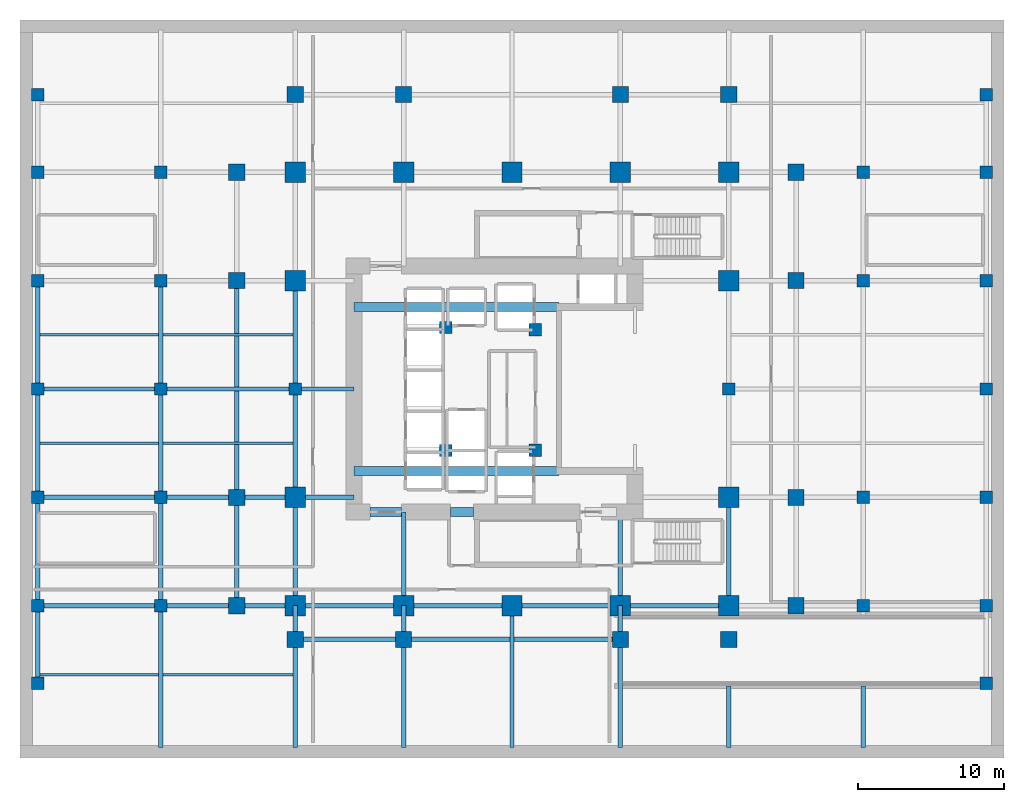
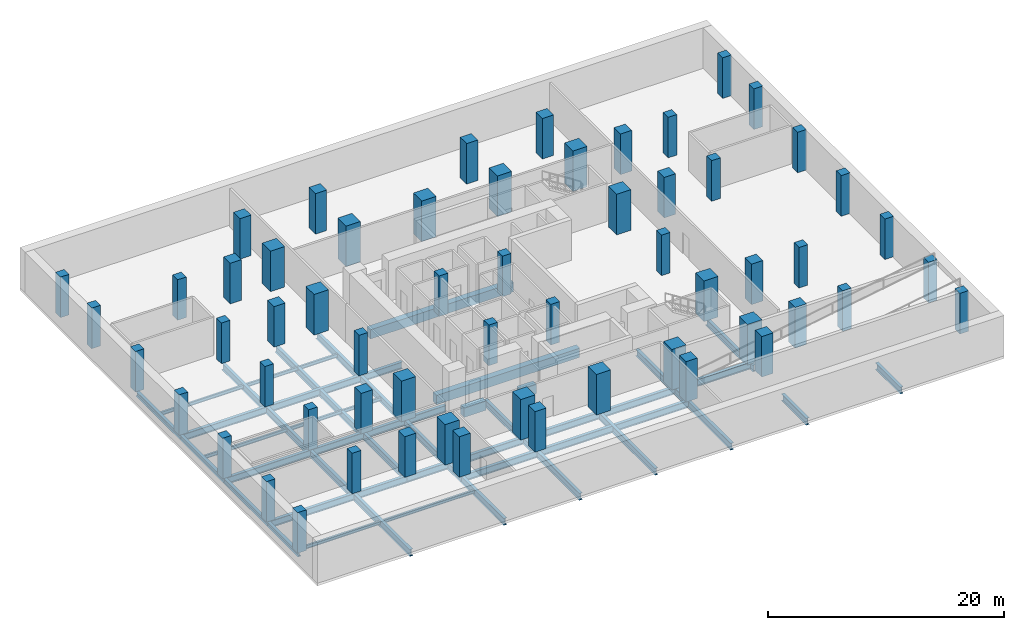
# One storey, part 1 of 7: 59 columns, 51 beams.
"""IFC4 building model written with IfcOpenShell, lengths in metres."""

from ifc_helpers import new_model, si_unit, direction, frame, origin, origin_2d, place, context, subcontext, project, spatial, rectangle, i_section, extrude, material, material_profile, profile_set, type_object, element, save


model = new_model("IFC4")

# Units and contexts
model_context = context("Model", 3, precision=1e-05, world=origin(), true_north=direction((0.0, 1.0)))
body_context = subcontext(model_context, "Body", "Model", "MODEL_VIEW")
ifc_project = project(units=[si_unit("LENGTHUNIT", "METRE"), si_unit("AREAUNIT", "SQUARE_METRE"), si_unit("VOLUMEUNIT", "CUBIC_METRE"), si_unit("PLANEANGLEUNIT", "RADIAN"), si_unit("MASSUNIT", "GRAM", prefix="KILO")], contexts=[model_context])

# Site, building, storey
site_placement = place(None, origin())
site = spatial("IfcSite", under=ifc_project, at=site_placement, CompositionType="ELEMENT")
building_placement = place(site_placement, origin())
building = spatial("IfcBuilding", under=site, at=building_placement, Name="Khorvyn Point Tower", CompositionType="ELEMENT")
storey_placement = place(building_placement, frame((0.0, 0.0, -8.39990234375)))
storey = spatial("IfcBuildingStorey", under=building, at=storey_placement, Name="B2", CompositionType="ELEMENT", Elevation=-8.39990234375)

# Columns
ifc_material_1 = material(Name="Concrete C40/50", Category="concrete")
ifc_material_profile_1 = material_profile(ifc_material_1, rectangle(XDim=0.85009765625, YDim=0.85009765625, at=origin_2d()))
ifc_profile_set_1 = profile_set([ifc_material_profile_1], Name="Concrete C40/50 RC850x850")
column_type_1 = type_object("IfcColumnType", Name="Concrete C40/50 Column RC850x850", PredefinedType="COLUMN", material=ifc_profile_set_1)
for number, where, z_axis, x_axis, name in (
    (1, (-4.52001953125, -4.199951171875, 0.0), (0.0, 0.0, 1.0), (1.0, 0.0, 0.0), "B2 Crown Core Spine Column 1"),
    (2, (1.580078125, -4.179931640625, 0.0), (0.0, 0.0, 1.0), (1.0, 0.0, 0.0), "B2 Crown Core Spine Column 2"),
    (3, (1.580078125, 4.050048828125, 0.0), (0.0, 0.0, 1.0), (1.0, 0.0, 0.0), "B2 Crown Core Spine Column 3"),
    (4, (-4.52001953125, 4.199951171875, 0.0), (0.0, 0.0, 1.0), (1.0, 0.0, 0.0), "B2 Crown Core Spine Column 4"),
    (5, (-32.39990234375, -14.800048828125, 0.0), (0.0, 0.0, 1.0), (1.0, 0.0, 0.0), "PC-B2--324--148"),
    (6, (-32.39990234375, -7.39990234375, 0.0), (0.0, 0.0, 1.0), (1.0, 0.0, 0.0), "PC-B2--324--074"),
    (7, (-32.39990234375, 0.0, 0.0), (0.0, 0.0, 1.0), (1.0, 0.0, 0.0), "PC-B2--324-+000"),
    (8, (-32.39990234375, 7.39990234375, 0.0), (0.0, 0.0, 1.0), (1.0, 0.0, 0.0), "PC-B2--324-+074"),
    (9, (-32.39990234375, 14.800048828125, 0.0), (0.0, 0.0, 1.0), (1.0, 0.0, 0.0), "PC-B2--324-+148"),
    (10, (-24.0, -14.800048828125, 0.0), (0.0, 0.0, 1.0), (1.0, 0.0, 0.0), "PC-B2--240--148"),
    (11, (-24.0, -7.39990234375, 0.0), (0.0, 0.0, 1.0), (1.0, 0.0, 0.0), "PC-B2--240--074"),
    (12, (-24.0, 0.0, 0.0), (0.0, 0.0, 1.0), (1.0, 0.0, 0.0), "PC-B2--240-+000"),
    (13, (-24.0, 7.39990234375, 0.0), (0.0, 0.0, 1.0), (1.0, 0.0, 0.0), "PC-B2--240-+074"),
    (14, (-24.0, 14.800048828125, 0.0), (0.0, 0.0, 1.0), (1.0, 0.0, 0.0), "PC-B2--240-+148"),
    (15, (-14.800048828125, 0.0, 0.0), (0.0, 0.0, 1.0), (1.0, 0.0, 0.0), "PC-B2--148-+000"),
    (16, (14.800048828125, 0.0, 0.0), (0.0, 0.0, 1.0), (1.0, 0.0, 0.0), "PC-B2-+148-+000"),
    (17, (24.0, -14.800048828125, 0.0), (0.0, 0.0, 1.0), (1.0, 0.0, 0.0), "PC-B2-+240--148"),
    (18, (24.0, -7.39990234375, 0.0), (0.0, 0.0, 1.0), (1.0, 0.0, 0.0), "PC-B2-+240--074"),
    (19, (24.0, 7.39990234375, 0.0), (0.0, 0.0, 1.0), (1.0, 0.0, 0.0), "PC-B2-+240-+074"),
    (20, (24.0, 14.800048828125, 0.0), (0.0, 0.0, 1.0), (1.0, 0.0, 0.0), "PC-B2-+240-+148"),
    (21, (32.39990234375, -14.800048828125, 0.0), (0.0, 0.0, 1.0), (1.0, 0.0, 0.0), "PC-B2-+324--148"),
    (22, (32.39990234375, -7.39990234375, 0.0), (0.0, 0.0, 1.0), (1.0, 0.0, 0.0), "PC-B2-+324--074"),
    (23, (32.39990234375, 0.0, 0.0), (0.0, 0.0, 1.0), (1.0, 0.0, 0.0), "PC-B2-+324-+000"),
    (24, (32.39990234375, 7.39990234375, 0.0), (0.0, 0.0, 1.0), (1.0, 0.0, 0.0), "PC-B2-+324-+074"),
    (25, (32.39990234375, 14.800048828125, 0.0), (0.0, 0.0, 1.0), (1.0, 0.0, 0.0), "PC-B2-+324-+148"),
    (26, (-32.39990234375, -20.10009765625, 0.0), (0.0, 0.0, 1.0), (1.0, 0.0, 0.0), "PCR-B2--32--20"),
    (27, (-32.39990234375, 20.10009765625, 0.0), (0.0, 0.0, 1.0), (1.0, 0.0, 0.0), "PCR-B2--32-+20"),
    (28, (32.39990234375, -20.10009765625, 0.0), (0.0, 0.0, 1.0), (1.0, 0.0, 0.0), "PCR-B2-+32--20"),
    (29, (32.39990234375, 20.10009765625, 0.0), (0.0, 0.0, 1.0), (1.0, 0.0, 0.0), "PCR-B2-+32-+20"),
):
    element("IfcColumn", number, at=place(storey_placement, frame(where, z_axis=z_axis, x_axis=x_axis)), inside=storey, type_object=column_type_1, Name=name, PredefinedType="COLUMN", context=body_context, shape_type="SweptSolid", body=[
        extrude(rectangle(XDim=0.85009765625, YDim=0.85009765625, at=origin_2d()), origin(), (0.0, 0.0, 1.0), 4.199951171875),
    ])
ifc_material_2 = material(Name="Concrete C45/55", Category="concrete")
ifc_material_profile_2 = material_profile(ifc_material_2, rectangle(XDim=1.10009765625, YDim=1.10009765625, at=origin_2d()))
ifc_profile_set_2 = profile_set([ifc_material_profile_2], Name="Concrete C45/55 RC1100x1100")
column_type_2 = type_object("IfcColumnType", Name="Concrete C45/55 Column RC1100x1100", PredefinedType="COLUMN", material=ifc_profile_set_2)
for number, where, z_axis, x_axis, name in (
    (30, (-18.800048828125, -14.800048828125, 0.0), (0.0, 0.0, 1.0), (1.0, 0.0, 0.0), "B2 Intermediate Column ICW--14"),
    (31, (-18.800048828125, -7.39990234375, 0.0), (0.0, 0.0, 1.0), (1.0, 0.0, 0.0), "B2 Intermediate Column ICW--7"),
    (32, (-18.800048828125, 7.39990234375, 0.0), (0.0, 0.0, 1.0), (1.0, 0.0, 0.0), "B2 Intermediate Column ICW-7"),
    (33, (-18.800048828125, 14.800048828125, 0.0), (0.0, 0.0, 1.0), (1.0, 0.0, 0.0), "B2 Intermediate Column ICW-14"),
    (34, (19.39990234375, -14.800048828125, 0.0), (0.0, 0.0, 1.0), (1.0, 0.0, 0.0), "B2 Intermediate Column ICE--14"),
    (35, (19.39990234375, -7.39990234375, 0.0), (0.0, 0.0, 1.0), (1.0, 0.0, 0.0), "B2 Intermediate Column ICE--7"),
    (36, (19.39990234375, 7.39990234375, 0.0), (0.0, 0.0, 1.0), (1.0, 0.0, 0.0), "B2 Intermediate Column ICE-7"),
    (37, (19.39990234375, 14.800048828125, 0.0), (0.0, 0.0, 1.0), (1.0, 0.0, 0.0), "B2 Intermediate Column ICE-14"),
    (38, (-14.800048828125, -17.10009765625, 0.0), (0.0, 0.0, 1.0), (1.0, 0.0, 0.0), "B2 Intermediate Column ICS--14"),
    (39, (-7.39990234375, -17.10009765625, 0.0), (0.0, 0.0, 1.0), (1.0, 0.0, 0.0), "B2 Intermediate Column ICS--7"),
    (40, (7.39990234375, -17.10009765625, 0.0), (0.0, 0.0, 1.0), (1.0, 0.0, 0.0), "B2 Intermediate Column ICS-7"),
    (41, (14.800048828125, -17.10009765625, 0.0), (0.0, 0.0, 1.0), (1.0, 0.0, 0.0), "B2 Intermediate Column ICS-14"),
    (42, (-14.800048828125, 20.10009765625, 0.0), (0.0, 0.0, 1.0), (1.0, 0.0, 0.0), "B2 Intermediate Column ICN--14"),
    (43, (-7.39990234375, 20.10009765625, 0.0), (0.0, 0.0, 1.0), (1.0, 0.0, 0.0), "B2 Intermediate Column ICN--7"),
    (44, (7.39990234375, 20.10009765625, 0.0), (0.0, 0.0, 1.0), (1.0, 0.0, 0.0), "B2 Intermediate Column ICN-7"),
    (45, (14.800048828125, 20.10009765625, 0.0), (0.0, 0.0, 1.0), (1.0, 0.0, 0.0), "B2 Intermediate Column ICN-14"),
):
    element("IfcColumn", number, at=place(storey_placement, frame(where, z_axis=z_axis, x_axis=x_axis)), inside=storey, type_object=column_type_2, Name=name, PredefinedType="COLUMN", context=body_context, shape_type="SweptSolid", body=[
        extrude(rectangle(XDim=1.10009765625, YDim=1.10009765625, at=origin_2d()), origin(), (0.0, 0.0, 1.0), 4.199951171875),
    ])
ifc_material_3 = material(Name="Concrete C50/60", Category="concrete")
ifc_material_profile_3 = material_profile(ifc_material_3, rectangle(XDim=1.39990234375, YDim=1.39990234375, at=origin_2d()))
ifc_profile_set_3 = profile_set([ifc_material_profile_3], Name="Concrete C50/60 RC1400x1400")
column_type_3 = type_object("IfcColumnType", Name="Concrete C50/60 Column RC1400x1400", PredefinedType="COLUMN", material=ifc_profile_set_3)
for number, where, z_axis, x_axis, name in (
    (46, (-14.800048828125, -14.800048828125, 0.0), (0.0, 0.0, 1.0), (1.0, 0.0, 0.0), "B2 Mega-Column MC-01"),
    (47, (-7.39990234375, -14.800048828125, 0.0), (0.0, 0.0, 1.0), (1.0, 0.0, 0.0), "B2 Mega-Column MC-02"),
    (48, (0.0, -14.800048828125, 0.0), (0.0, 0.0, 1.0), (1.0, 0.0, 0.0), "B2 Mega-Column MC-03"),
    (49, (7.39990234375, -14.800048828125, 0.0), (0.0, 0.0, 1.0), (1.0, 0.0, 0.0), "B2 Mega-Column MC-04"),
    (50, (14.800048828125, -14.800048828125, 0.0), (0.0, 0.0, 1.0), (1.0, 0.0, 0.0), "B2 Mega-Column MC-05"),
    (51, (-14.800048828125, 14.800048828125, 0.0), (0.0, 0.0, 1.0), (1.0, 0.0, 0.0), "B2 Mega-Column MC-06"),
    (52, (-7.39990234375, 14.800048828125, 0.0), (0.0, 0.0, 1.0), (1.0, 0.0, 0.0), "B2 Mega-Column MC-07"),
    (53, (0.0, 14.800048828125, 0.0), (0.0, 0.0, 1.0), (1.0, 0.0, 0.0), "B2 Mega-Column MC-08"),
    (54, (7.39990234375, 14.800048828125, 0.0), (0.0, 0.0, 1.0), (1.0, 0.0, 0.0), "B2 Mega-Column MC-09"),
    (55, (14.800048828125, 14.800048828125, 0.0), (0.0, 0.0, 1.0), (1.0, 0.0, 0.0), "B2 Mega-Column MC-10"),
    (56, (-14.800048828125, -7.39990234375, 0.0), (0.0, 0.0, 1.0), (1.0, 0.0, 0.0), "B2 Mega-Column MC-11"),
    (57, (-14.800048828125, 7.39990234375, 0.0), (0.0, 0.0, 1.0), (1.0, 0.0, 0.0), "B2 Mega-Column MC-12"),
    (58, (14.800048828125, -7.39990234375, 0.0), (0.0, 0.0, 1.0), (1.0, 0.0, 0.0), "B2 Mega-Column MC-13"),
    (59, (14.800048828125, 7.39990234375, 0.0), (0.0, 0.0, 1.0), (1.0, 0.0, 0.0), "B2 Mega-Column MC-14"),
):
    element("IfcColumn", number, at=place(storey_placement, frame(where, z_axis=z_axis, x_axis=x_axis)), inside=storey, type_object=column_type_3, Name=name, PredefinedType="COLUMN", context=body_context, shape_type="SweptSolid", body=[
        extrude(rectangle(XDim=1.39990234375, YDim=1.39990234375, at=origin_2d()), origin(), (0.0, 0.0, 1.0), 4.199951171875),
    ])

# Beams
ifc_material_profile_4 = material_profile(ifc_material_3, rectangle(XDim=0.60009765625, YDim=0.949951171875, at=origin_2d()))
ifc_profile_set_4 = profile_set([ifc_material_profile_4], Name="Concrete C50/60 RC600x950")
beam_type_1 = type_object("IfcBeamType", Name="Concrete C50/60 Beam RC600x950", PredefinedType="BEAM", material=ifc_profile_set_4)
for number, where, z_axis, x_axis, name in (
    (60, (-10.800048828125, -5.60009765625, -0.735107421875), (1.0, 0.0, 0.0), (0.0, 1.0, 0.0), "B2 Core Internal Tie Girder S"),
    (61, (-10.800048828125, 5.60009765625, -0.735107421875), (1.0, 0.0, 0.0), (0.0, 1.0, 0.0), "B2 Core Internal Tie Girder N"),
):
    element("IfcBeam", number, at=place(storey_placement, frame(where, z_axis=z_axis, x_axis=x_axis)), inside=storey, type_object=beam_type_1, Name=name, PredefinedType="BEAM", context=body_context, shape_type="SweptSolid", body=[
        extrude(rectangle(XDim=0.60009765625, YDim=0.949951171875, at=origin_2d()), origin(), (0.0, 0.0, 1.0), 14.02001953125),
    ])
beam_1_placement = place(storey_placement, frame((-9.699951171875, -8.39990234375, -0.735107421875), z_axis=(1.0, 0.0, 0.0), x_axis=(0.0, 1.0, 0.0)))
element("IfcBeam", 62, at=beam_1_placement, inside=storey, type_object=beam_type_1, Name="B2 Core Southwest Portal Coupling Beam", PredefinedType="BEAM", context=body_context, shape_type="SweptSolid", body=[
    extrude(rectangle(XDim=0.60009765625, YDim=0.949951171875, at=origin_2d()), origin(), (0.0, 0.0, 1.0), 2.14990234375),
])
beam_2_placement = place(storey_placement, frame((-4.199951171875, -8.39990234375, -0.735107421875), z_axis=(1.0, 0.0, 0.0), x_axis=(0.0, 1.0, 0.0)))
element("IfcBeam", 63, at=beam_2_placement, inside=storey, type_object=beam_type_1, Name="B2 Core Shuttle Portal Coupling Beam", PredefinedType="BEAM", context=body_context, shape_type="SweptSolid", body=[
    extrude(rectangle(XDim=0.60009765625, YDim=0.949951171875, at=origin_2d()), origin(), (0.0, 0.0, 1.0), 1.579833984375),
])
ifc_material_4 = material(Name="Steel S355", Category="steel")
ifc_material_profile_5 = material_profile(ifc_material_4, i_section(OverallWidth=0.300048828125, OverallDepth=0.699951171875, WebThickness=0.012939453125, FlangeThickness=0.02392578125, at=origin_2d()))
ifc_profile_set_5 = profile_set([ifc_material_profile_5], Name="Steel S355 H700x300x13x24")
beam_type_2 = type_object("IfcBeamType", Name="Steel S355 Beam H700x300x13x24", PredefinedType="BEAM", material=ifc_profile_set_5)
beam_3_placement = place(storey_placement, frame((-32.39990234375, -14.800048828125, -0.610107421875), z_axis=(1.0, 0.0, 0.0), x_axis=(0.0, 1.0, 0.0)))
element("IfcBeam", 64, at=beam_3_placement, inside=storey, type_object=beam_type_2, Name="Beam", PredefinedType="BEAM", context=body_context, shape_type="SweptSolid", body=[
    extrude(i_section(OverallWidth=0.300048828125, OverallDepth=0.699951171875, WebThickness=0.012939453125, FlangeThickness=0.02392578125, at=origin_2d()), origin(), (0.0, 0.0, 1.0), 8.39990234375),
])
beam_4_placement = place(storey_placement, frame((-24.0, -14.800048828125, -0.610107421875), z_axis=(1.0, 0.0, 0.0), x_axis=(0.0, 1.0, 0.0)))
element("IfcBeam", 65, at=beam_4_placement, inside=storey, type_object=beam_type_2, Name="Beam", PredefinedType="BEAM", context=body_context, shape_type="SweptSolid", body=[
    extrude(i_section(OverallWidth=0.300048828125, OverallDepth=0.699951171875, WebThickness=0.012939453125, FlangeThickness=0.02392578125, at=origin_2d()), origin(), (0.0, 0.0, 1.0), 5.199951171875),
])
beam_5_placement = place(storey_placement, frame((-18.800048828125, -14.800048828125, -0.610107421875), z_axis=(1.0, 0.0, 0.0), x_axis=(0.0, 1.0, 0.0)))
element("IfcBeam", 66, at=beam_5_placement, inside=storey, type_object=beam_type_2, Name="Beam", PredefinedType="BEAM", context=body_context, shape_type="SweptSolid", body=[
    extrude(i_section(OverallWidth=0.300048828125, OverallDepth=0.699951171875, WebThickness=0.012939453125, FlangeThickness=0.02392578125, at=origin_2d()), origin(), (0.0, 0.0, 1.0), 4.0),
])
beam_6_placement = place(storey_placement, frame((-14.800048828125, -14.800048828125, -0.610107421875), z_axis=(1.0, 0.0, 0.0), x_axis=(0.0, 1.0, 0.0)))
element("IfcBeam", 67, at=beam_6_placement, inside=storey, type_object=beam_type_2, Name="Beam", PredefinedType="BEAM", context=body_context, shape_type="SweptSolid", body=[
    extrude(i_section(OverallWidth=0.300048828125, OverallDepth=0.699951171875, WebThickness=0.012939453125, FlangeThickness=0.02392578125, at=origin_2d()), origin(), (0.0, 0.0, 1.0), 7.400146484375),
])
for number, where, z_axis, x_axis, name in (
    (68, (-7.39990234375, -14.800048828125, -0.610107421875), (1.0, 0.0, 0.0), (0.0, 1.0, 0.0), "Beam"),
    (69, (0.0, -14.800048828125, -0.610107421875), (1.0, 0.0, 0.0), (0.0, 1.0, 0.0), "Beam"),
):
    element("IfcBeam", number, at=place(storey_placement, frame(where, z_axis=z_axis, x_axis=x_axis)), inside=storey, type_object=beam_type_2, Name=name, PredefinedType="BEAM", context=body_context, shape_type="SweptSolid", body=[
        extrude(i_section(OverallWidth=0.300048828125, OverallDepth=0.699951171875, WebThickness=0.012939453125, FlangeThickness=0.02392578125, at=origin_2d()), origin(), (0.0, 0.0, 1.0), 7.39990234375),
    ])
beam_7_placement = place(storey_placement, frame((7.39990234375, -14.800048828125, -0.610107421875), z_axis=(1.0, 0.0, 0.0), x_axis=(0.0, 1.0, 0.0)))
element("IfcBeam", 70, at=beam_7_placement, inside=storey, type_object=beam_type_2, Name="Beam", PredefinedType="BEAM", context=body_context, shape_type="SweptSolid", body=[
    extrude(i_section(OverallWidth=0.300048828125, OverallDepth=0.699951171875, WebThickness=0.012939453125, FlangeThickness=0.02392578125, at=origin_2d()), origin(), (0.0, 0.0, 1.0), 7.400146484375),
])
beam_8_placement = place(storey_placement, frame((-32.39990234375, -7.39990234375, -0.610107421875), z_axis=(1.0, 0.0, 0.0), x_axis=(0.0, 1.0, 0.0)))
element("IfcBeam", 71, at=beam_8_placement, inside=storey, type_object=beam_type_2, Name="Beam", PredefinedType="BEAM", context=body_context, shape_type="SweptSolid", body=[
    extrude(i_section(OverallWidth=0.300048828125, OverallDepth=0.699951171875, WebThickness=0.012939453125, FlangeThickness=0.02392578125, at=origin_2d()), origin(), (0.0, 0.0, 1.0), 8.39990234375),
])
beam_9_placement = place(storey_placement, frame((-24.0, -7.39990234375, -0.610107421875), z_axis=(1.0, 0.0, 0.0), x_axis=(0.0, 1.0, 0.0)))
element("IfcBeam", 72, at=beam_9_placement, inside=storey, type_object=beam_type_2, Name="Beam", PredefinedType="BEAM", context=body_context, shape_type="SweptSolid", body=[
    extrude(i_section(OverallWidth=0.300048828125, OverallDepth=0.699951171875, WebThickness=0.012939453125, FlangeThickness=0.02392578125, at=origin_2d()), origin(), (0.0, 0.0, 1.0), 5.199951171875),
])
for number, where, z_axis, x_axis, name in (
    (73, (-18.800048828125, -7.39990234375, -0.610107421875), (1.0, 0.0, 0.0), (0.0, 1.0, 0.0), "Beam"),
    (74, (-14.800048828125, -7.39990234375, -0.610107421875), (1.0, 0.0, 0.0), (0.0, 1.0, 0.0), "Beam"),
):
    element("IfcBeam", number, at=place(storey_placement, frame(where, z_axis=z_axis, x_axis=x_axis)), inside=storey, type_object=beam_type_2, Name=name, PredefinedType="BEAM", context=body_context, shape_type="SweptSolid", body=[
        extrude(i_section(OverallWidth=0.300048828125, OverallDepth=0.699951171875, WebThickness=0.012939453125, FlangeThickness=0.02392578125, at=origin_2d()), origin(), (0.0, 0.0, 1.0), 4.0),
    ])
beam_10_placement = place(storey_placement, frame((-32.39990234375, 0.0, -0.610107421875), z_axis=(1.0, 0.0, 0.0), x_axis=(0.0, 1.0, 0.0)))
element("IfcBeam", 75, at=beam_10_placement, inside=storey, type_object=beam_type_2, Name="Beam", PredefinedType="BEAM", context=body_context, shape_type="SweptSolid", body=[
    extrude(i_section(OverallWidth=0.300048828125, OverallDepth=0.699951171875, WebThickness=0.012939453125, FlangeThickness=0.02392578125, at=origin_2d()), origin(), (0.0, 0.0, 1.0), 8.39990234375),
])
beam_11_placement = place(storey_placement, frame((-24.0, 0.0, -0.610107421875), z_axis=(1.0, 0.0, 0.0), x_axis=(0.0, 1.0, 0.0)))
element("IfcBeam", 76, at=beam_11_placement, inside=storey, type_object=beam_type_2, Name="Beam", PredefinedType="BEAM", context=body_context, shape_type="SweptSolid", body=[
    extrude(i_section(OverallWidth=0.300048828125, OverallDepth=0.699951171875, WebThickness=0.012939453125, FlangeThickness=0.02392578125, at=origin_2d()), origin(), (0.0, 0.0, 1.0), 9.199951171875),
])
beam_12_placement = place(storey_placement, frame((-14.800048828125, 0.0, -0.610107421875), z_axis=(1.0, 0.0, 0.0), x_axis=(0.0, 1.0, 0.0)))
element("IfcBeam", 77, at=beam_12_placement, inside=storey, type_object=beam_type_2, Name="Beam", PredefinedType="BEAM", context=body_context, shape_type="SweptSolid", body=[
    extrude(i_section(OverallWidth=0.300048828125, OverallDepth=0.699951171875, WebThickness=0.012939453125, FlangeThickness=0.02392578125, at=origin_2d()), origin(), (0.0, 0.0, 1.0), 4.0),
])
beam_13_placement = place(storey_placement, frame((-14.800048828125, -17.10009765625, -0.610107421875), z_axis=(1.0, 0.0, 0.0), x_axis=(0.0, 1.0, 0.0)))
element("IfcBeam", 78, at=beam_13_placement, inside=storey, type_object=beam_type_2, Name="Beam", PredefinedType="BEAM", context=body_context, shape_type="SweptSolid", body=[
    extrude(i_section(OverallWidth=0.300048828125, OverallDepth=0.699951171875, WebThickness=0.012939453125, FlangeThickness=0.02392578125, at=origin_2d()), origin(), (0.0, 0.0, 1.0), 7.400146484375),
])
beam_14_placement = place(storey_placement, frame((-7.39990234375, -17.10009765625, -0.610107421875), z_axis=(1.0, 0.0, 0.0), x_axis=(0.0, 1.0, 0.0)))
element("IfcBeam", 79, at=beam_14_placement, inside=storey, type_object=beam_type_2, Name="Beam", PredefinedType="BEAM", context=body_context, shape_type="SweptSolid", body=[
    extrude(i_section(OverallWidth=0.300048828125, OverallDepth=0.699951171875, WebThickness=0.012939453125, FlangeThickness=0.02392578125, at=origin_2d()), origin(), (0.0, 0.0, 1.0), 14.7998046875),
])
beam_15_placement = place(storey_placement, frame((-24.0, -24.5, -0.610107421875), z_axis=(0.0, 1.0, 0.0), x_axis=(-1.0, 0.0, 0.0)))
element("IfcBeam", 80, at=beam_15_placement, inside=storey, type_object=beam_type_2, Name="Beam", PredefinedType="BEAM", context=body_context, shape_type="SweptSolid", body=[
    extrude(i_section(OverallWidth=0.300048828125, OverallDepth=0.699951171875, WebThickness=0.012939453125, FlangeThickness=0.02392578125, at=origin_2d()), origin(), (0.0, 0.0, 1.0), 9.699951171875),
])
beam_16_placement = place(storey_placement, frame((-24.0, -14.800048828125, -0.610107421875), z_axis=(0.0, 1.0, 0.0), x_axis=(-1.0, 0.0, 0.0)))
element("IfcBeam", 81, at=beam_16_placement, inside=storey, type_object=beam_type_2, Name="Beam", PredefinedType="BEAM", context=body_context, shape_type="SweptSolid", body=[
    extrude(i_section(OverallWidth=0.300048828125, OverallDepth=0.699951171875, WebThickness=0.012939453125, FlangeThickness=0.02392578125, at=origin_2d()), origin(), (0.0, 0.0, 1.0), 7.400146484375),
])
for number, where, z_axis, x_axis, name in (
    (82, (-24.0, -7.39990234375, -0.610107421875), (0.0, 1.0, 0.0), (-1.0, 0.0, 0.0), "Beam"),
    (83, (-24.0, 0.0, -0.610107421875), (0.0, 1.0, 0.0), (-1.0, 0.0, 0.0), "Beam"),
    (84, (-14.800048828125, -24.5, -0.610107421875), (0.0, 1.0, 0.0), (-1.0, 0.0, 0.0), "Beam"),
):
    element("IfcBeam", number, at=place(storey_placement, frame(where, z_axis=z_axis, x_axis=x_axis)), inside=storey, type_object=beam_type_2, Name=name, PredefinedType="BEAM", context=body_context, shape_type="SweptSolid", body=[
        extrude(i_section(OverallWidth=0.300048828125, OverallDepth=0.699951171875, WebThickness=0.012939453125, FlangeThickness=0.02392578125, at=origin_2d()), origin(), (0.0, 0.0, 1.0), 7.39990234375),
    ])
beam_17_placement = place(storey_placement, frame((-14.800048828125, -17.10009765625, -0.610107421875), z_axis=(0.0, 1.0, 0.0), x_axis=(-1.0, 0.0, 0.0)))
element("IfcBeam", 85, at=beam_17_placement, inside=storey, type_object=beam_type_2, Name="Beam", PredefinedType="BEAM", context=body_context, shape_type="SweptSolid", body=[
    extrude(i_section(OverallWidth=0.300048828125, OverallDepth=0.699951171875, WebThickness=0.012939453125, FlangeThickness=0.02392578125, at=origin_2d()), origin(), (0.0, 0.0, 1.0), 2.300048828125),
])
beam_18_placement = place(storey_placement, frame((-14.800048828125, -14.800048828125, -0.610107421875), z_axis=(0.0, 1.0, 0.0), x_axis=(-1.0, 0.0, 0.0)))
element("IfcBeam", 86, at=beam_18_placement, inside=storey, type_object=beam_type_2, Name="Beam", PredefinedType="BEAM", context=body_context, shape_type="SweptSolid", body=[
    extrude(i_section(OverallWidth=0.300048828125, OverallDepth=0.699951171875, WebThickness=0.012939453125, FlangeThickness=0.02392578125, at=origin_2d()), origin(), (0.0, 0.0, 1.0), 7.400146484375),
])
for number, where, z_axis, x_axis, name in (
    (87, (-14.800048828125, -7.39990234375, -0.610107421875), (0.0, 1.0, 0.0), (-1.0, 0.0, 0.0), "Beam"),
    (88, (-14.800048828125, 0.0, -0.610107421875), (0.0, 1.0, 0.0), (-1.0, 0.0, 0.0), "Beam"),
    (89, (-7.39990234375, -24.5, -0.610107421875), (0.0, 1.0, 0.0), (-1.0, 0.0, 0.0), "Beam"),
):
    element("IfcBeam", number, at=place(storey_placement, frame(where, z_axis=z_axis, x_axis=x_axis)), inside=storey, type_object=beam_type_2, Name=name, PredefinedType="BEAM", context=body_context, shape_type="SweptSolid", body=[
        extrude(i_section(OverallWidth=0.300048828125, OverallDepth=0.699951171875, WebThickness=0.012939453125, FlangeThickness=0.02392578125, at=origin_2d()), origin(), (0.0, 0.0, 1.0), 7.39990234375),
    ])
beam_19_placement = place(storey_placement, frame((-7.39990234375, -17.10009765625, -0.610107421875), z_axis=(0.0, 1.0, 0.0), x_axis=(-1.0, 0.0, 0.0)))
element("IfcBeam", 90, at=beam_19_placement, inside=storey, type_object=beam_type_2, Name="Beam", PredefinedType="BEAM", context=body_context, shape_type="SweptSolid", body=[
    extrude(i_section(OverallWidth=0.300048828125, OverallDepth=0.699951171875, WebThickness=0.012939453125, FlangeThickness=0.02392578125, at=origin_2d()), origin(), (0.0, 0.0, 1.0), 2.300048828125),
])
beam_20_placement = place(storey_placement, frame((-7.39990234375, -14.800048828125, -0.610107421875), z_axis=(0.0, 1.0, 0.0), x_axis=(-1.0, 0.0, 0.0)))
element("IfcBeam", 91, at=beam_20_placement, inside=storey, type_object=beam_type_2, Name="Beam", PredefinedType="BEAM", context=body_context, shape_type="SweptSolid", body=[
    extrude(i_section(OverallWidth=0.300048828125, OverallDepth=0.699951171875, WebThickness=0.012939453125, FlangeThickness=0.02392578125, at=origin_2d()), origin(), (0.0, 0.0, 1.0), 6.400146484375),
])
beam_21_placement = place(storey_placement, frame((0.0, -24.5, -0.610107421875), z_axis=(0.0, 1.0, 0.0), x_axis=(-1.0, 0.0, 0.0)))
element("IfcBeam", 92, at=beam_21_placement, inside=storey, type_object=beam_type_2, Name="Beam", PredefinedType="BEAM", context=body_context, shape_type="SweptSolid", body=[
    extrude(i_section(OverallWidth=0.300048828125, OverallDepth=0.699951171875, WebThickness=0.012939453125, FlangeThickness=0.02392578125, at=origin_2d()), origin(), (0.0, 0.0, 1.0), 9.699951171875),
])
beam_22_placement = place(storey_placement, frame((7.39990234375, -24.5, -0.610107421875), z_axis=(0.0, 1.0, 0.0), x_axis=(-1.0, 0.0, 0.0)))
element("IfcBeam", 93, at=beam_22_placement, inside=storey, type_object=beam_type_2, Name="Beam", PredefinedType="BEAM", context=body_context, shape_type="SweptSolid", body=[
    extrude(i_section(OverallWidth=0.300048828125, OverallDepth=0.699951171875, WebThickness=0.012939453125, FlangeThickness=0.02392578125, at=origin_2d()), origin(), (0.0, 0.0, 1.0), 7.39990234375),
])
beam_23_placement = place(storey_placement, frame((7.39990234375, -17.10009765625, -0.610107421875), z_axis=(0.0, 1.0, 0.0), x_axis=(-1.0, 0.0, 0.0)))
element("IfcBeam", 94, at=beam_23_placement, inside=storey, type_object=beam_type_2, Name="Beam", PredefinedType="BEAM", context=body_context, shape_type="SweptSolid", body=[
    extrude(i_section(OverallWidth=0.300048828125, OverallDepth=0.699951171875, WebThickness=0.012939453125, FlangeThickness=0.02392578125, at=origin_2d()), origin(), (0.0, 0.0, 1.0), 2.300048828125),
])
beam_24_placement = place(storey_placement, frame((7.39990234375, -14.800048828125, -0.610107421875), z_axis=(0.0, 1.0, 0.0), x_axis=(-1.0, 0.0, 0.0)))
element("IfcBeam", 95, at=beam_24_placement, inside=storey, type_object=beam_type_2, Name="Beam", PredefinedType="BEAM", context=body_context, shape_type="SweptSolid", body=[
    extrude(i_section(OverallWidth=0.300048828125, OverallDepth=0.699951171875, WebThickness=0.012939453125, FlangeThickness=0.02392578125, at=origin_2d()), origin(), (0.0, 0.0, 1.0), 6.400146484375),
])
beam_25_placement = place(storey_placement, frame((14.800048828125, -24.5, -0.610107421875), z_axis=(0.0, 1.0, 0.0), x_axis=(-1.0, 0.0, 0.0)))
element("IfcBeam", 96, at=beam_25_placement, inside=storey, type_object=beam_type_2, Name="Beam", PredefinedType="BEAM", context=body_context, shape_type="SweptSolid", body=[
    extrude(i_section(OverallWidth=0.300048828125, OverallDepth=0.699951171875, WebThickness=0.012939453125, FlangeThickness=0.02392578125, at=origin_2d()), origin(), (0.0, 0.0, 1.0), 4.219970703125),
])
beam_26_placement = place(storey_placement, frame((14.800048828125, -15.419921875, -0.610107421875), z_axis=(0.0, 1.0, 0.0), x_axis=(-1.0, 0.0, 0.0)))
element("IfcBeam", 97, at=beam_26_placement, inside=storey, type_object=beam_type_2, Name="Beam", PredefinedType="BEAM", context=body_context, shape_type="SweptSolid", body=[
    extrude(i_section(OverallWidth=0.300048828125, OverallDepth=0.699951171875, WebThickness=0.012939453125, FlangeThickness=0.02392578125, at=origin_2d()), origin(), (0.0, 0.0, 1.0), 8.02001953125),
])
beam_27_placement = place(storey_placement, frame((24.0, -24.5, -0.610107421875), z_axis=(0.0, 1.0, 0.0), x_axis=(-1.0, 0.0, 0.0)))
element("IfcBeam", 98, at=beam_27_placement, inside=storey, type_object=beam_type_2, Name="Beam", PredefinedType="BEAM", context=body_context, shape_type="SweptSolid", body=[
    extrude(i_section(OverallWidth=0.300048828125, OverallDepth=0.699951171875, WebThickness=0.012939453125, FlangeThickness=0.02392578125, at=origin_2d()), origin(), (0.0, 0.0, 1.0), 4.219970703125),
])
beam_28_placement = place(storey_placement, frame((-18.800048828125, -14.800048828125, -0.610107421875), z_axis=(0.0, 1.0, 0.0), x_axis=(-1.0, 0.0, 0.0)))
element("IfcBeam", 99, at=beam_28_placement, inside=storey, type_object=beam_type_2, Name="Beam", PredefinedType="BEAM", context=body_context, shape_type="SweptSolid", body=[
    extrude(i_section(OverallWidth=0.300048828125, OverallDepth=0.699951171875, WebThickness=0.012939453125, FlangeThickness=0.02392578125, at=origin_2d()), origin(), (0.0, 0.0, 1.0), 7.400146484375),
])
beam_29_placement = place(storey_placement, frame((-18.800048828125, -7.39990234375, -0.610107421875), z_axis=(0.0, 1.0, 0.0), x_axis=(-1.0, 0.0, 0.0)))
element("IfcBeam", 100, at=beam_29_placement, inside=storey, type_object=beam_type_2, Name="Beam", PredefinedType="BEAM", context=body_context, shape_type="SweptSolid", body=[
    extrude(i_section(OverallWidth=0.300048828125, OverallDepth=0.699951171875, WebThickness=0.012939453125, FlangeThickness=0.02392578125, at=origin_2d()), origin(), (0.0, 0.0, 1.0), 14.7998046875),
])
ifc_material_profile_6 = material_profile(ifc_material_4, i_section(OverallWidth=0.175048828125, OverallDepth=0.35009765625, WebThickness=0.007080078125, FlangeThickness=0.010986328125, at=origin_2d()))
ifc_profile_set_6 = profile_set([ifc_material_profile_6], Name="Steel S355 H350x175x7x11")
beam_type_3 = type_object("IfcBeamType", Name="Steel S355 Joist H350x175x7x11", PredefinedType="JOIST", material=ifc_profile_set_6)
beam_30_placement = place(storey_placement, frame((-32.25, -19.5, -0.43505859375), z_axis=(1.0, 0.0, 0.0), x_axis=(0.0, 1.0, 0.0)))
element("IfcBeam", 101, at=beam_30_placement, inside=storey, type_object=beam_type_3, Name="Beam", PredefinedType="JOIST", context=body_context, shape_type="SweptSolid", body=[
    extrude(i_section(OverallWidth=0.175048828125, OverallDepth=0.35009765625, WebThickness=0.007080078125, FlangeThickness=0.010986328125, at=origin_2d()), origin(), (0.0, 0.0, 1.0), 8.10009765625),
])
beam_31_placement = place(storey_placement, frame((-23.85009765625, -19.5, -0.43505859375), z_axis=(1.0, 0.0, 0.0), x_axis=(0.0, 1.0, 0.0)))
element("IfcBeam", 102, at=beam_31_placement, inside=storey, type_object=beam_type_3, Name="Beam", PredefinedType="JOIST", context=body_context, shape_type="SweptSolid", body=[
    extrude(i_section(OverallWidth=0.175048828125, OverallDepth=0.35009765625, WebThickness=0.007080078125, FlangeThickness=0.010986328125, at=origin_2d()), origin(), (0.0, 0.0, 1.0), 8.900146484375),
])
beam_32_placement = place(storey_placement, frame((-32.25, -3.699951171875, -0.43505859375), z_axis=(1.0, 0.0, 0.0), x_axis=(0.0, 1.0, 0.0)))
element("IfcBeam", 103, at=beam_32_placement, inside=storey, type_object=beam_type_3, Name="Beam", PredefinedType="JOIST", context=body_context, shape_type="SweptSolid", body=[
    extrude(i_section(OverallWidth=0.175048828125, OverallDepth=0.35009765625, WebThickness=0.007080078125, FlangeThickness=0.010986328125, at=origin_2d()), origin(), (0.0, 0.0, 1.0), 8.10009765625),
])
beam_33_placement = place(storey_placement, frame((-23.85009765625, -3.699951171875, -0.43505859375), z_axis=(1.0, 0.0, 0.0), x_axis=(0.0, 1.0, 0.0)))
element("IfcBeam", 104, at=beam_33_placement, inside=storey, type_object=beam_type_3, Name="Beam", PredefinedType="JOIST", context=body_context, shape_type="SweptSolid", body=[
    extrude(i_section(OverallWidth=0.175048828125, OverallDepth=0.35009765625, WebThickness=0.007080078125, FlangeThickness=0.010986328125, at=origin_2d()), origin(), (0.0, 0.0, 1.0), 8.900146484375),
])
beam_34_placement = place(storey_placement, frame((-32.25, 3.699951171875, -0.43505859375), z_axis=(1.0, 0.0, 0.0), x_axis=(0.0, 1.0, 0.0)))
element("IfcBeam", 105, at=beam_34_placement, inside=storey, type_object=beam_type_3, Name="Beam", PredefinedType="JOIST", context=body_context, shape_type="SweptSolid", body=[
    extrude(i_section(OverallWidth=0.175048828125, OverallDepth=0.35009765625, WebThickness=0.007080078125, FlangeThickness=0.010986328125, at=origin_2d()), origin(), (0.0, 0.0, 1.0), 8.10009765625),
])
beam_35_placement = place(storey_placement, frame((-23.85009765625, 3.699951171875, -0.43505859375), z_axis=(1.0, 0.0, 0.0), x_axis=(0.0, 1.0, 0.0)))
element("IfcBeam", 106, at=beam_35_placement, inside=storey, type_object=beam_type_3, Name="Beam", PredefinedType="JOIST", context=body_context, shape_type="SweptSolid", body=[
    extrude(i_section(OverallWidth=0.175048828125, OverallDepth=0.35009765625, WebThickness=0.007080078125, FlangeThickness=0.010986328125, at=origin_2d()), origin(), (0.0, 0.0, 1.0), 8.900146484375),
])
ifc_material_profile_7 = material_profile(ifc_material_4, i_section(OverallWidth=0.300048828125, OverallDepth=0.488037109375, WebThickness=0.010986328125, FlangeThickness=0.01806640625, at=origin_2d()))
ifc_profile_set_7 = profile_set([ifc_material_profile_7], Name="Steel S355 H488x300x11x18")
beam_type_4 = type_object("IfcBeamType", Name="Steel S355 Spandrel H488x300x11x18", PredefinedType="SPANDREL", material=ifc_profile_set_7)
beam_36_placement = place(storey_placement, frame((-32.39990234375, -20.10009765625, -0.504150390625), z_axis=(0.0, 1.0, 0.0), x_axis=(-1.0, 0.0, 0.0)))
element("IfcBeam", 107, at=beam_36_placement, inside=storey, type_object=beam_type_4, Name="Beam", PredefinedType="SPANDREL", context=body_context, shape_type="SweptSolid", body=[
    extrude(i_section(OverallWidth=0.300048828125, OverallDepth=0.488037109375, WebThickness=0.010986328125, FlangeThickness=0.01806640625, at=origin_2d()), origin(), (0.0, 0.0, 1.0), 5.300048828125),
])
beam_37_placement = place(storey_placement, frame((-32.39990234375, -14.800048828125, -0.504150390625), z_axis=(0.0, 1.0, 0.0), x_axis=(-1.0, 0.0, 0.0)))
element("IfcBeam", 108, at=beam_37_placement, inside=storey, type_object=beam_type_4, Name="Beam", PredefinedType="SPANDREL", context=body_context, shape_type="SweptSolid", body=[
    extrude(i_section(OverallWidth=0.300048828125, OverallDepth=0.488037109375, WebThickness=0.010986328125, FlangeThickness=0.01806640625, at=origin_2d()), origin(), (0.0, 0.0, 1.0), 7.400146484375),
])
for number, where, z_axis, x_axis, name in (
    (109, (-32.39990234375, -7.39990234375, -0.504150390625), (0.0, 1.0, 0.0), (-1.0, 0.0, 0.0), "Beam"),
    (110, (-32.39990234375, 0.0, -0.504150390625), (0.0, 1.0, 0.0), (-1.0, 0.0, 0.0), "Beam"),
):
    element("IfcBeam", number, at=place(storey_placement, frame(where, z_axis=z_axis, x_axis=x_axis)), inside=storey, type_object=beam_type_4, Name=name, PredefinedType="SPANDREL", context=body_context, shape_type="SweptSolid", body=[
        extrude(i_section(OverallWidth=0.300048828125, OverallDepth=0.488037109375, WebThickness=0.010986328125, FlangeThickness=0.01806640625, at=origin_2d()), origin(), (0.0, 0.0, 1.0), 7.39990234375),
    ])

save(model, "model.ifc")
